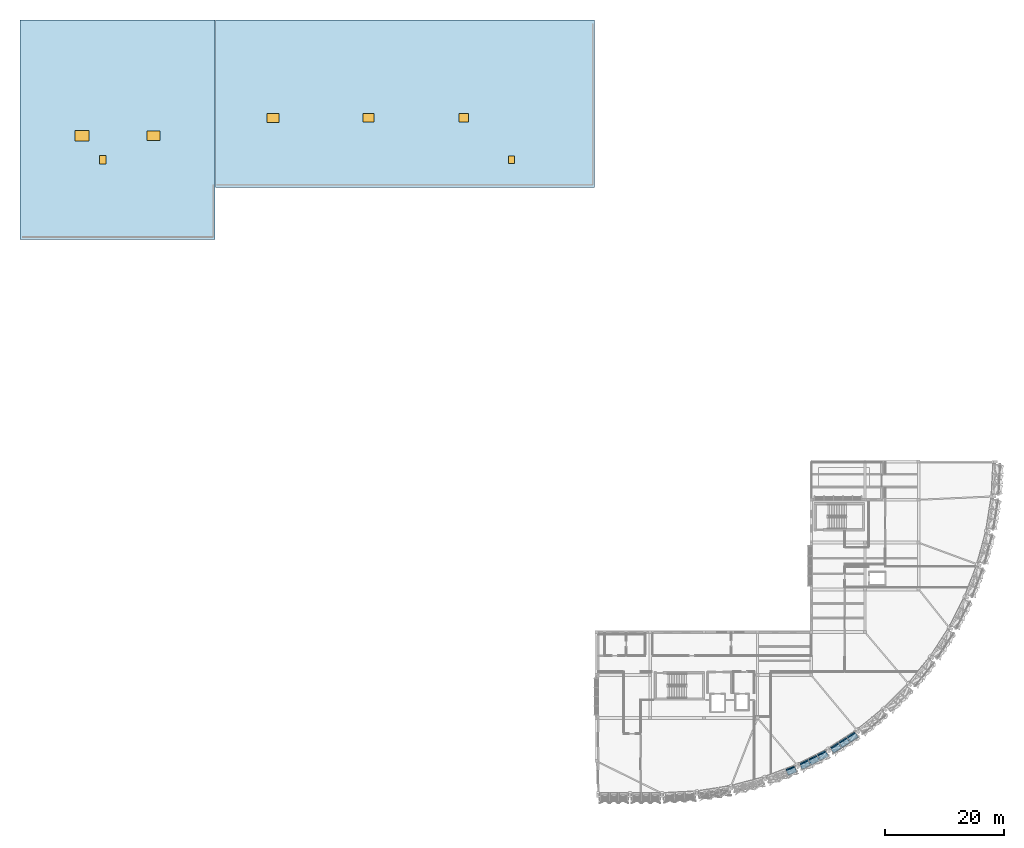
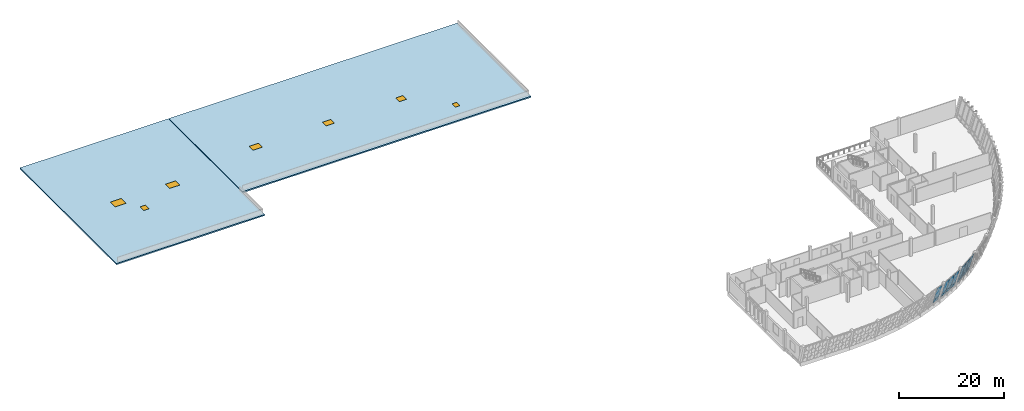
# One storey, part 16 of 24: 14 plates, 5 windows, 2 doors, 2 slabs, 7 openings, 3 elements without a shape of their own.
"""IFC4 building model written with IfcOpenShell, lengths in metres."""

from ifc_helpers import new_model, si_unit, direction, frame, origin, origin_2d, place, context, subcontext, project, spatial, polyline, rectangle, outline, extrude, material, layer, layer_set, type_object, element, fill, aggregate, save


model = new_model("IFC4")

# Units and contexts
model_context = context("Model", 3, precision=1e-05, world=origin(), true_north=direction((0.0, 1.0)))
body_context = subcontext(model_context, "Body", "Model", "MODEL_VIEW")
ifc_project = project(units=[si_unit("LENGTHUNIT", "METRE"), si_unit("AREAUNIT", "SQUARE_METRE"), si_unit("VOLUMEUNIT", "CUBIC_METRE"), si_unit("PLANEANGLEUNIT", "RADIAN"), si_unit("MASSUNIT", "GRAM", prefix="KILO")], contexts=[model_context])

# Site, building, storey
site_placement = place(None, origin())
site = spatial("IfcSite", under=ifc_project, at=site_placement, CompositionType="ELEMENT")
building_placement = place(site_placement, origin())
building = spatial("IfcBuilding", under=site, at=building_placement, Name="Chiffa Square Polytechnic", CompositionType="ELEMENT")
storey_placement = place(building_placement, frame((0.0, 0.0, 22.199951171875)))
storey = spatial("IfcBuildingStorey", under=building, at=storey_placement, Name="L05", CompositionType="ELEMENT", Elevation=22.199951171875)

# Curtain wall, plates
ifc_material_1 = material(Name="Aluminium EN AW-6060 T66 and glulam shading", Category="wood")
curtain_wall_type_1 = type_object("IfcCurtainWallType", Name="CW-PROW-LEAN-300", PredefinedType="USERDEFINED", material=ifc_material_1)
curtain_wall_1_placement = place(storey_placement, origin())
curtain_wall_1 = element("IfcCurtainWall", 1, at=curtain_wall_1_placement, inside=storey, type_object=curtain_wall_type_1, Name="Outward-leaning diamond-fin prow curtain wall CW-V1-L05-085", ObjectType="CURTAIN WALL", PredefinedType="USERDEFINED")
ifc_material_2 = material(Name="Double glazing", Category="glass")
ifc_layer_1 = layer(ifc_material_2, 0.0380859375, Name="Double glazing")
ifc_layer_set_1 = layer_set([ifc_layer_1], Name="Double glazing")
plate_type_1 = type_object("IfcPlateType", Name="CWP-GLZ-146X138", PredefinedType="CURTAIN_PANEL", material=ifc_layer_set_1)
plate_1_placement = place(storey_placement, frame((151.518310546875, 9.280517578125, 0.8779296875), z_axis=(-0.524161065142, 0.807052431182, 0.271885180017), x_axis=(0.83864080933, 0.544684856018, -2.3456181e-05)))
plate_1 = element("IfcPlate", 2, at=plate_1_placement, type_object=plate_type_1, Name="Leaning prow curtain panel CW-V1-L05-085-PN01", PredefinedType="CURTAIN_PANEL", context=body_context, shape_type="SweptSolid", body=[
    extrude(outline(polyline([(0.0, 0.0), (1.5412440587015106, -2.7755575615628914e-17), (1.5247816388959887, -3.1768370829965313), (-0.044229825545956794, -3.1767612724741983), (0.0, 0.0)])), origin(), (0.0, 0.0, -1.0), 0.0380859375),
])
plate_2_placement = place(storey_placement, frame((152.910888671875, 10.18505859375, 0.8779296875), z_axis=(-0.524146867832, 0.80703057154, 0.271977421013), x_axis=(0.83864080688, 0.54468485979, -2.3463503e-05)))
plate_2 = element("IfcPlate", 3, at=plate_2_placement, type_object=plate_type_1, Name="Leaning prow curtain panel CW-V1-L05-085-PN02", PredefinedType="CURTAIN_PANEL", context=body_context, shape_type="SweptSolid", body=[
    extrude(outline(polyline([(0.0, 0.0), (1.5412440587018212, 5.551115123125783e-17), (1.5548518872015478, -3.17692387722105), (-0.014159577239460036, -3.1768480409788964), (0.0, 0.0)])), origin(), (0.0, 0.0, -1.0), 0.0380859375),
])
plate_3_placement = place(storey_placement, frame((154.3037109375, 11.089599609375, 0.8779296875), z_axis=(-0.524179288366, 0.807004948496, 0.271990968143), x_axis=(0.838615761247, 0.544723419519, -3.4862077e-05)))
plate_3 = element("IfcPlate", 4, at=plate_3_placement, type_object=plate_type_1, Name="Leaning prow curtain panel CW-V1-L05-085-PN03", PredefinedType="CURTAIN_PANEL", context=body_context, shape_type="SweptSolid", body=[
    extrude(outline(polyline([(0.0, 0.0), (1.5410393222673555, -2.7755575615628914e-17), (1.5847758181830243, -3.176956020720878), (0.01576436275364867, -3.176843350190898), (0.0, 0.0)])), origin(), (0.0, 0.0, -1.0), 0.0380859375),
])

curtain_wall_type_2 = type_object("IfcCurtainWallType", Name="CW-PROW-LEAN-150", PredefinedType="USERDEFINED", material=ifc_material_1)
curtain_wall_2_placement = place(storey_placement, origin())
curtain_wall_2 = element("IfcCurtainWall", 5, at=curtain_wall_2_placement, inside=storey, type_object=curtain_wall_type_2, Name="Outward-leaning diamond-fin prow curtain wall CW-V1-L05-084", ObjectType="CURTAIN WALL", PredefinedType="USERDEFINED")
ifc_layer_2 = layer(ifc_material_2, 0.0380859375, Name="Double glazing")
ifc_layer_set_2 = layer_set([ifc_layer_2], Name="Double glazing")
plate_type_2 = type_object("IfcPlateType", Name="CWP-GLZ-148X142", PredefinedType="CURTAIN_PANEL", material=ifc_layer_set_2)
plate_4_placement = place(storey_placement, frame((146.33837890625, 6.58349609375, 0.8779296875), z_axis=(-0.437016722626, 0.857413967469, 0.27176768118), x_axis=(0.890949019694, 0.454103340616, 1.8669237e-05)))
plate_4 = element("IfcPlate", 6, at=plate_4_placement, type_object=plate_type_2, Name="Leaning prow curtain panel CW-V1-L05-084-PN01", PredefinedType="CURTAIN_PANEL", context=body_context, shape_type="SweptSolid", body=[
    extrude(outline(polyline([(0.0, 0.0), (1.5410540676176332, -2.7755575615628914e-17), (1.5250587762342762, -3.1766607736774017), (-0.044057859025297255, -3.176721109040292), (0.0, 0.0)])), origin(), (0.0, 0.0, -1.0), 0.0380859375),
])
plate_5_placement = place(storey_placement, frame((147.818115234375, 7.337646484375, 0.8779296875), z_axis=(-0.437072080146, 0.857374370835, 0.27180357796), x_axis=(0.890914871551, 0.4541703333, 4.5535e-08)))
plate_5 = element("IfcPlate", 7, at=plate_5_placement, type_object=plate_type_2, Name="Leaning prow curtain panel CW-V1-L05-084-PN02", PredefinedType="CURTAIN_PANEL", context=body_context, shape_type="SweptSolid", body=[
    extrude(outline(polyline([(0.0, 0.0), (1.5411649372978822, 0.0), (1.5550722177648013, -3.176723749311049), (-0.014044422225895472, -3.176723896479321), (0.0, 0.0)])), origin(), (0.0, 0.0, -1.0), 0.0380859375),
])
plate_6_placement = place(storey_placement, frame((149.297607421875, 8.091796875, 0.8779296875), z_axis=(-0.437038867386, 0.85738475349, 0.271824231586), x_axis=(0.89093227866, 0.454136185247, 9.538312e-06)))
plate_6 = element("IfcPlate", 8, at=plate_6_placement, type_object=plate_type_2, Name="Leaning prow curtain panel CW-V1-L05-084-PN03", PredefinedType="CURTAIN_PANEL", context=body_context, shape_type="SweptSolid", body=[
    extrude(outline(polyline([(0.0, 0.0), (1.5413824488685846, 0.0), (1.585487141888268, -3.1767273652169083), (0.01637050313259701, -3.176758194961477), (0.0, 0.0)])), origin(), (0.0, 0.0, -1.0), 0.0380859375),
])

# Curtain wall, plate
curtain_wall_3_placement = place(storey_placement, origin())
curtain_wall_3 = element("IfcCurtainWall", 9, at=curtain_wall_3_placement, inside=storey, type_object=curtain_wall_type_1, Name="Outward-leaning diamond-fin prow curtain wall CW-V1-L05-083", ObjectType="CURTAIN WALL", PredefinedType="USERDEFINED")
ifc_layer_3 = layer(ifc_material_2, 0.035888671875, Name="Double glazing")
ifc_layer_set_3 = layer_set([ifc_layer_3], Name="Double glazing")
plate_type_3 = type_object("IfcPlateType", Name="CWP-GLZ-180X140", PredefinedType="CURTAIN_PANEL", material=ifc_layer_set_3)
plate_7_placement = place(storey_placement, frame((144.006103515625, 5.633544921875, 0.8779296875), z_axis=(-0.344849723978, 0.898452106098, 0.271776527537), x_axis=(0.933594722724, 0.35833070348, 2.5415062e-05)))
plate_7 = element("IfcPlate", 10, at=plate_7_placement, type_object=plate_type_3, Name="Leaning prow curtain panel CW-V1-L05-083-PN03", PredefinedType="CURTAIN_PANEL", context=body_context, shape_type="SweptSolid", body=[
    extrude(outline(polyline([(0.0, 0.0), (1.5415246439766022, 0.0), (1.5858122691647039, -3.1766567259860627), (0.01645292544325879, -3.1767388815996345), (0.0, 0.0)])), origin(), (0.0, 0.0, -1.0), 0.035888671875),
])

# Plate
ifc_material_3 = material(Name="Aluminium insulated spandrel", Category="aluminium")
ifc_layer_4 = layer(ifc_material_3, 0.072021484375, Name="Aluminium insulated spandrel")
ifc_layer_set_4 = layer_set([ifc_layer_4], Name="Aluminium insulated spandrel")
plate_type_4 = type_object("IfcPlateType", Name="CWP-SPN-136X072", PredefinedType="SHEET", material=ifc_layer_set_4)
plate_8_placement = place(storey_placement, frame((151.40087890625, 9.483154296875, 0.050048828125), z_axis=(-0.524212177405, 0.806991745331, 0.271966755373), x_axis=(0.838601605099, 0.544745213769, 1.038969e-06)))
plate_8 = element("IfcPlate", 11, at=plate_8_placement, type_object=plate_type_4, Name="Leaning prow curtain panel CW-V1-L05-085-SP01", PredefinedType="SHEET", context=body_context, shape_type="SweptSolid", body=[
    extrude(outline(polyline([(0.0, 0.0), (1.5336600041941562, 5.551115123125783e-17), (1.5293537604386858, -0.8022090143949797), (-0.011010104869682746, -0.8022123333126573), (0.0, 0.0)])), origin(), (0.0, 0.0, -1.0), 0.072021484375),
])

plate_9_placement = place(storey_placement, frame((152.78662109375, 10.38330078125, 0.050048828125), z_axis=(-0.524205019028, 0.80693950451, 0.272135506847), x_axis=(0.838584448901, 0.544771623057, -2.7804485e-05)))
plate_9 = element("IfcPlate", 12, at=plate_9_placement, type_object=plate_type_4, Name="Leaning prow curtain panel CW-V1-L05-085-SP02", PredefinedType="SHEET", context=body_context, shape_type="SweptSolid", body=[
    extrude(outline(polyline([(0.0, 0.0), (1.533793003548603, -5.551115123125783e-17), (1.5371134152402388, -0.8022948541547658), (-0.003455181447139452, -0.802206020435025), (0.0, 0.0)])), origin(), (0.0, 0.0, -1.0), 0.072021484375),
])

plate_10_placement = place(storey_placement, frame((154.172607421875, 11.28369140625, 0.050048828125), z_axis=(-0.524255694998, 0.806941090888, 0.272033163601), x_axis=(0.838564512141, 0.544802311816, -4.230003e-06)))
plate_10 = element("IfcPlate", 13, at=plate_10_placement, type_object=plate_type_4, Name="Leaning prow curtain panel CW-V1-L05-085-SP03", PredefinedType="SHEET", context=body_context, shape_type="SweptSolid", body=[
    extrude(outline(polyline([(0.0, 0.0), (1.533455272578197, -2.7755575615628914e-17), (1.5445029575239515, -0.8022331031020455), (0.0038013593128010054, -0.8022195897933776), (0.0, 0.0)])), origin(), (0.0, 0.0, -1.0), 0.072021484375),
])

aggregate(curtain_wall_1, [plate_8, plate_1, plate_9, plate_2, plate_10, plate_3])

ifc_layer_5 = layer(ifc_material_3, 0.070068359375, Name="Aluminium insulated spandrel")
ifc_layer_set_5 = layer_set([ifc_layer_5], Name="Aluminium insulated spandrel")
plate_type_5 = type_object("IfcPlateType", Name="CWP-SPN-138X074", PredefinedType="SHEET", material=ifc_layer_set_5)
plate_11_placement = place(storey_placement, frame((146.242919921875, 6.797119140625, 0.050048828125), z_axis=(-0.437073949236, 0.857410847434, 0.27168548287), x_axis=(0.890920082598, 0.45416011078, -1.4157914e-05)))
plate_11 = element("IfcPlate", 14, at=plate_11_placement, type_object=plate_type_5, Name="Leaning prow curtain panel CW-V1-L05-084-SP01", PredefinedType="SHEET", context=body_context, shape_type="SweptSolid", body=[
    extrude(outline(polyline([(0.0, 0.0), (1.533522357976548, 0.0), (1.5295219712615722, -0.8021669412338326), (-0.01131457706416464, -0.8021217135341823), (0.0, 0.0)])), origin(), (0.0, 0.0, -1.0), 0.070068359375),
])

plate_12_placement = place(storey_placement, frame((147.715087890625, 7.547607421875, 0.050048828125), z_axis=(-0.437026019879, 0.85739324061, 0.271818117323), x_axis=(0.890937674526, 0.454125599464, -4.685153e-06)))
plate_12 = element("IfcPlate", 15, at=plate_12_placement, type_object=plate_type_5, Name="Leaning prow curtain panel CW-V1-L05-084-SP02", PredefinedType="SHEET", context=body_context, shape_type="SweptSolid", body=[
    extrude(outline(polyline([(0.0, 0.0), (1.5337398680644336, 0.0), (1.5373978205046184, -0.8021831429258489), (-0.0034387302577410296, -0.8021681744821677), (0.0, 0.0)])), origin(), (0.0, 0.0, -1.0), 0.070068359375),
])

plate_13_placement = place(storey_placement, frame((149.1875, 8.298095703125, 0.050048828125), z_axis=(-0.436994592154, 0.857407994153, 0.271822107252), x_axis=(0.890955263994, 0.454091089473, 4.790004e-06)))
plate_13 = element("IfcPlate", 16, at=plate_13_placement, type_object=plate_type_5, Name="Leaning prow curtain panel CW-V1-L05-084-SP03", PredefinedType="SHEET", context=body_context, shape_type="SweptSolid", body=[
    extrude(outline(polyline([(0.0, 0.0), (1.53395738430269, 2.7755575615628914e-17), (1.545056163451337, -0.8021689071864904), (0.004219612702603519, -0.8021842117155406), (0.0, 0.0)])), origin(), (0.0, 0.0, -1.0), 0.070068359375),
])

aggregate(curtain_wall_2, [plate_11, plate_4, plate_12, plate_5, plate_13, plate_6])

ifc_layer_6 = layer(ifc_material_3, 0.068115234375, Name="Aluminium insulated spandrel")
ifc_layer_set_6 = layer_set([ifc_layer_6], Name="Aluminium insulated spandrel")
plate_type_6 = type_object("IfcPlateType", Name="CWP-SPN-140X076", PredefinedType="SHEET", material=ifc_layer_set_6)
plate_14_placement = place(storey_placement, frame((143.918212890625, 5.85009765625, 0.050048828125), z_axis=(-0.34486885538, 0.89843189291, 0.27181906922), x_axis=(0.933580119124, 0.358368749297, -2.6512868e-05)))
plate_14 = element("IfcPlate", 17, at=plate_14_placement, type_object=plate_type_6, Name="Leaning prow curtain panel CW-V1-L05-083-SP03", PredefinedType="SHEET", context=body_context, shape_type="SweptSolid", body=[
    extrude(outline(polyline([(0.0, 0.0), (1.5338119682816371, 0.0), (1.5449594567164313, -0.8022184464878811), (0.004206086589083154, -0.8021337416693628), (0.0, 0.0)])), origin(), (0.0, 0.0, -1.0), 0.068115234375),
])

aggregate(curtain_wall_3, [plate_14, plate_7])

# Slab, openings, door, windows
ifc_material_4 = material(Name="Concrete C35/45", Category="concrete")
ifc_layer_7 = layer(ifc_material_4, 0.300048828125, Name="Concrete C35/45")
ifc_layer_set_7 = layer_set([ifc_layer_7], Name="Concrete C35/45")
slab_type = type_object("IfcSlabType", Name="SLB-ROOF-300", PredefinedType="ROOF", material=ifc_layer_set_7)
slab_1_placement = place(storey_placement, origin())
slab_1 = element("IfcSlab", 18, at=slab_1_placement, inside=storey, type_object=slab_type, Name="Lab wing west flat roof slab SLB-ROOF-V5-W", PredefinedType="ROOF", context=body_context, shape_type="SweptSolid", body=[
    extrude(outline(polyline([(15.60009765625, 94.64990234375), (48.25, 94.64990234375), (48.25, 131.39990234375), (15.60009765625, 131.39990234375), (15.60009765625, 94.64990234375)]), holes=[polyline([(24.800048828125, 111.10009765625), (27.199951171875, 111.10009765625), (27.199951171875, 112.89990234375), (24.800048828125, 112.89990234375), (24.800048828125, 111.10009765625)]), polyline([(36.89990234375, 111.199951171875), (39.10009765625, 111.199951171875), (39.10009765625, 112.800048828125), (36.89990234375, 112.800048828125), (36.89990234375, 111.199951171875)]), polyline([(28.949951171875, 107.300048828125), (30.050048828125, 107.300048828125), (30.050048828125, 108.699951171875), (28.949951171875, 108.699951171875), (28.949951171875, 107.300048828125)])]), origin(), (0.0, 0.0, 1.0), 0.300048828125),
])
opening_1_placement = place(slab_1_placement, frame((26.0, 112.0, 0.0)))
opening_1 = element("IfcOpeningElement", 19, at=opening_1_placement, cuts=slab_1, Name="Opening SK-01", PredefinedType="OPENING", context=body_context, shape_type="SweptSolid", body=[
    extrude(rectangle(XDim=2.39990234375, YDim=1.800048828125, at=origin_2d()), frame((0.0, 0.0, -0.010009765625), z_axis=(0.0, 0.0, 1.0), x_axis=(1.0, 0.0, 0.0)), (0.0, 0.0, 1.0), 0.320068359375),
])
opening_2_placement = place(slab_1_placement, frame((38.0, 112.0, 0.0)))
opening_2 = element("IfcOpeningElement", 20, at=opening_2_placement, cuts=slab_1, Name="Opening SK-02", PredefinedType="OPENING", context=body_context, shape_type="SweptSolid", body=[
    extrude(rectangle(XDim=2.199951171875, YDim=1.60009765625, at=origin_2d()), frame((0.0, 0.0, -0.010009765625), z_axis=(0.0, 0.0, 1.0), x_axis=(1.0, 0.0, 0.0)), (0.0, 0.0, 1.0), 0.320068359375),
])
opening_3_placement = place(slab_1_placement, frame((29.5, 108.0, 0.0)))
opening_3 = element("IfcOpeningElement", 21, at=opening_3_placement, cuts=slab_1, Name="Opening RH-01", PredefinedType="OPENING", context=body_context, shape_type="SweptSolid", body=[
    extrude(rectangle(XDim=1.10009765625, YDim=1.39990234375, at=origin_2d()), frame((0.0, 0.0, -0.010009765625), z_axis=(0.0, 0.0, 1.0), x_axis=(1.0, 0.0, 0.0)), (0.0, 0.0, 1.0), 0.320068359375),
])
ifc_material_5 = material(Name="Insulated aluminium roof hatch", Category="aluminium")
door_type_1 = type_object("IfcDoorType", Name="DR-HATCH-1100X1400", OperationType="NOTDEFINED", PredefinedType="TRAPDOOR", material=ifc_material_5)
door_1_placement = place(opening_3_placement, frame((0.0, 0.0, 0.25)))
door_1 = element("IfcDoor", 22, at=door_1_placement, inside=storey, type_object=door_type_1, Name="Maintenance roof hatch RH-01", OperationType="SINGLE_SWING_LEFT", OverallHeight=1.39990234375, OverallWidth=1.10009765625, PredefinedType="TRAPDOOR", context=body_context, shape_type="SweptSolid", body=[
    extrude(rectangle(XDim=1.10009765625, YDim=1.39990234375, at=origin_2d()), origin(), (0.0, 0.0, 1.0), 0.050048828125),
])
fill(opening_3, door_1)
ifc_material_6 = material(Name="Double glazing in thermally broken aluminium frame", Category="aluminium")
window_type_1 = type_object("IfcWindowType", Name="SKY-MOD-2200X1600", PartitioningType="DOUBLE_PANEL_VERTICAL", PredefinedType="SKYLIGHT", material=ifc_material_6)
window_1_placement = place(opening_2_placement, frame((0.0, 0.0, 0.25)))
window_1 = element("IfcWindow", 23, at=window_1_placement, inside=storey, type_object=window_type_1, Name="Roof daylight skylight SKY-02", OverallHeight=1.60009765625, OverallWidth=2.199951171875, PartitioningType="SINGLE_PANEL", PredefinedType="SKYLIGHT", context=body_context, shape_type="SweptSolid", body=[
    extrude(rectangle(XDim=2.199951171875, YDim=1.60009765625, at=origin_2d()), origin(), (0.0, 0.0, 1.0), 0.050048828125),
])
fill(opening_2, window_1)
window_type_2 = type_object("IfcWindowType", Name="SKY-MOD-2400X1800", PartitioningType="DOUBLE_PANEL_VERTICAL", PredefinedType="SKYLIGHT", material=ifc_material_6)
window_2_placement = place(opening_1_placement, frame((0.0, 0.0, 0.25)))
window_2 = element("IfcWindow", 24, at=window_2_placement, inside=storey, type_object=window_type_2, Name="Roof daylight skylight SKY-01", OverallHeight=1.800048828125, OverallWidth=2.39990234375, PartitioningType="SINGLE_PANEL", PredefinedType="SKYLIGHT", context=body_context, shape_type="SweptSolid", body=[
    extrude(rectangle(XDim=2.39990234375, YDim=1.800048828125, at=origin_2d()), origin(), (0.0, 0.0, 1.0), 0.050048828125),
])
fill(opening_1, window_2)

slab_2_placement = place(storey_placement, origin())
slab_2 = element("IfcSlab", 25, at=slab_2_placement, inside=storey, type_object=slab_type, Name="Lab wing central flat roof slab SLB-ROOF-V5-M", PredefinedType="ROOF", context=body_context, shape_type="SweptSolid", body=[
    extrude(outline(polyline([(48.35009765625, 103.300048828125), (111.85009765625, 103.300048828125), (111.85009765625, 131.39990234375), (48.35009765625, 131.39990234375), (48.35009765625, 103.300048828125)]), holes=[polyline([(57.0, 114.25), (59.0, 114.25), (59.0, 115.75), (57.0, 115.75), (57.0, 114.25)]), polyline([(73.10009765625, 114.300048828125), (74.89990234375, 114.300048828125), (74.89990234375, 115.699951171875), (73.10009765625, 115.699951171875), (73.10009765625, 114.300048828125)]), polyline([(89.199951171875, 114.300048828125), (90.800048828125, 114.300048828125), (90.800048828125, 115.699951171875), (89.199951171875, 115.699951171875), (89.199951171875, 114.300048828125)]), polyline([(97.5, 107.375), (98.5, 107.375), (98.5, 108.625), (97.5, 108.625), (97.5, 107.375)])]), origin(), (0.0, 0.0, 1.0), 0.300048828125),
])
opening_4_placement = place(slab_2_placement, frame((58.0, 115.0, 0.0)))
opening_4 = element("IfcOpeningElement", 26, at=opening_4_placement, cuts=slab_2, Name="Opening SK-03", PredefinedType="OPENING", context=body_context, shape_type="SweptSolid", body=[
    extrude(rectangle(XDim=2.0, YDim=1.5, at=origin_2d()), frame((0.0, 0.0, -0.010009765625), z_axis=(0.0, 0.0, 1.0), x_axis=(1.0, 0.0, 0.0)), (0.0, 0.0, 1.0), 0.320068359375),
])
opening_5_placement = place(slab_2_placement, frame((74.0, 115.0, 0.0)))
opening_5 = element("IfcOpeningElement", 27, at=opening_5_placement, cuts=slab_2, Name="Opening SK-04", PredefinedType="OPENING", context=body_context, shape_type="SweptSolid", body=[
    extrude(rectangle(XDim=1.800048828125, YDim=1.39990234375, at=origin_2d()), frame((0.0, 0.0, -0.010009765625), z_axis=(0.0, 0.0, 1.0), x_axis=(1.0, 0.0, 0.0)), (0.0, 0.0, 1.0), 0.320068359375),
])
opening_6_placement = place(slab_2_placement, frame((90.0, 115.0, 0.0)))
opening_6 = element("IfcOpeningElement", 28, at=opening_6_placement, cuts=slab_2, Name="Opening SK-05", PredefinedType="OPENING", context=body_context, shape_type="SweptSolid", body=[
    extrude(rectangle(XDim=1.60009765625, YDim=1.39990234375, at=origin_2d()), frame((0.0, 0.0, -0.010009765625), z_axis=(0.0, 0.0, 1.0), x_axis=(1.0, 0.0, 0.0)), (0.0, 0.0, 1.0), 0.320068359375),
])
opening_7_placement = place(slab_2_placement, frame((98.0, 108.0, 0.0)))
opening_7 = element("IfcOpeningElement", 29, at=opening_7_placement, cuts=slab_2, Name="Opening RH-02", PredefinedType="OPENING", context=body_context, shape_type="SweptSolid", body=[
    extrude(rectangle(XDim=1.0, YDim=1.25, at=origin_2d()), frame((0.0, 0.0, -0.010009765625), z_axis=(0.0, 0.0, 1.0), x_axis=(1.0, 0.0, 0.0)), (0.0, 0.0, 1.0), 0.320068359375),
])
door_type_2 = type_object("IfcDoorType", Name="DR-HATCH-1000X1250", OperationType="NOTDEFINED", PredefinedType="TRAPDOOR", material=ifc_material_5)
door_2_placement = place(opening_7_placement, frame((0.0, 0.0, 0.25)))
door_2 = element("IfcDoor", 30, at=door_2_placement, inside=storey, type_object=door_type_2, Name="Maintenance roof hatch RH-02", OperationType="SINGLE_SWING_RIGHT", OverallHeight=1.25, OverallWidth=1.0, PredefinedType="TRAPDOOR", context=body_context, shape_type="SweptSolid", body=[
    extrude(rectangle(XDim=1.0, YDim=1.25, at=origin_2d()), origin(), (0.0, 0.0, 1.0), 0.050048828125),
])
fill(opening_7, door_2)
window_type_3 = type_object("IfcWindowType", Name="SKY-MOD-1600X1400", PartitioningType="DOUBLE_PANEL_VERTICAL", PredefinedType="SKYLIGHT", material=ifc_material_6)
window_3_placement = place(opening_6_placement, frame((0.0, 0.0, 0.25)))
window_3 = element("IfcWindow", 31, at=window_3_placement, inside=storey, type_object=window_type_3, Name="Roof daylight skylight SKY-05", OverallHeight=1.39990234375, OverallWidth=1.60009765625, PartitioningType="SINGLE_PANEL", PredefinedType="SKYLIGHT", context=body_context, shape_type="SweptSolid", body=[
    extrude(rectangle(XDim=1.60009765625, YDim=1.39990234375, at=origin_2d()), origin(), (0.0, 0.0, 1.0), 0.050048828125),
])
fill(opening_6, window_3)
window_type_4 = type_object("IfcWindowType", Name="SKY-MOD-1800X1400", PartitioningType="DOUBLE_PANEL_VERTICAL", PredefinedType="SKYLIGHT", material=ifc_material_6)
window_4_placement = place(opening_5_placement, frame((0.0, 0.0, 0.25)))
window_4 = element("IfcWindow", 32, at=window_4_placement, inside=storey, type_object=window_type_4, Name="Roof daylight skylight SKY-04", OverallHeight=1.39990234375, OverallWidth=1.800048828125, PartitioningType="SINGLE_PANEL", PredefinedType="SKYLIGHT", context=body_context, shape_type="SweptSolid", body=[
    extrude(rectangle(XDim=1.800048828125, YDim=1.39990234375, at=origin_2d()), origin(), (0.0, 0.0, 1.0), 0.050048828125),
])
fill(opening_5, window_4)
window_type_5 = type_object("IfcWindowType", Name="SKY-MOD-2000X1500", PartitioningType="DOUBLE_PANEL_VERTICAL", PredefinedType="SKYLIGHT", material=ifc_material_6)
window_5_placement = place(opening_4_placement, frame((0.0, 0.0, 0.25)))
window_5 = element("IfcWindow", 33, at=window_5_placement, inside=storey, type_object=window_type_5, Name="Roof daylight skylight SKY-03", OverallHeight=1.5, OverallWidth=2.0, PartitioningType="SINGLE_PANEL", PredefinedType="SKYLIGHT", context=body_context, shape_type="SweptSolid", body=[
    extrude(rectangle(XDim=2.0, YDim=1.5, at=origin_2d()), origin(), (0.0, 0.0, 1.0), 0.050048828125),
])
fill(opening_4, window_5)

save(model, "model.ifc")
